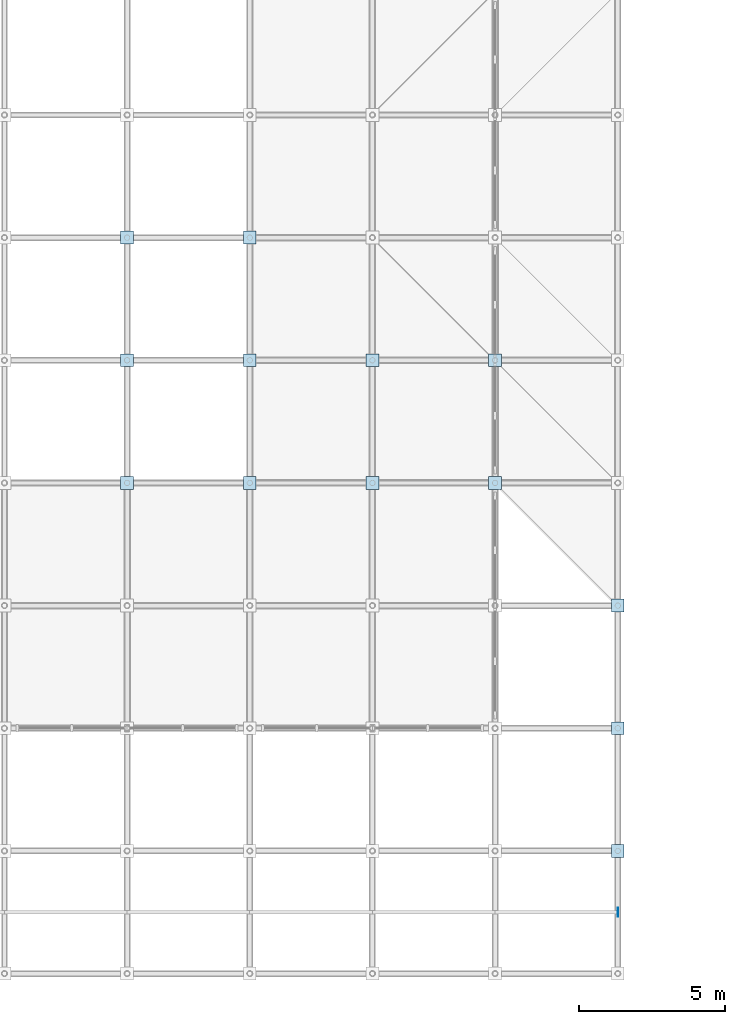
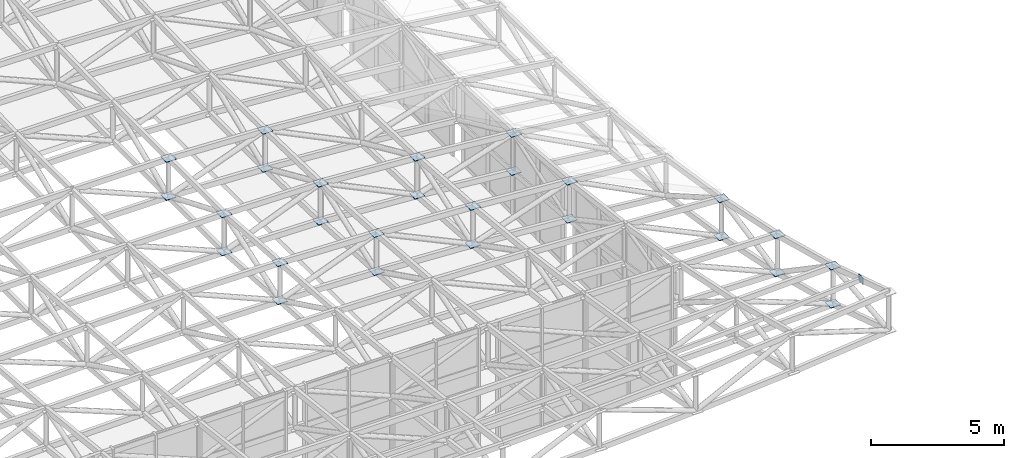
# One storey, part 74 of 132: 27 plates.
"""IFC4 building model written with IfcOpenShell, lengths in metres."""

from ifc_helpers import new_model, si_unit, direction, frame, origin, origin_2d, place, context, subcontext, project, spatial, rectangle, extrude, material, layer, layer_set, type_object, element, save


model = new_model("IFC4")

# Units and contexts
model_context = context("Model", 3, precision=1e-05, world=origin(), true_north=direction((0.0, 1.0)))
body_context = subcontext(model_context, "Body", "Model", "MODEL_VIEW")
ifc_project = project(units=[si_unit("LENGTHUNIT", "METRE"), si_unit("AREAUNIT", "SQUARE_METRE"), si_unit("VOLUMEUNIT", "CUBIC_METRE"), si_unit("PLANEANGLEUNIT", "RADIAN"), si_unit("MASSUNIT", "GRAM", prefix="KILO")], contexts=[model_context])

# Site, building, storey
site_placement = place(None, origin())
site = spatial("IfcSite", under=ifc_project, at=site_placement, CompositionType="ELEMENT")
building_placement = place(site_placement, origin())
building = spatial("IfcBuilding", under=site, at=building_placement, Name="Cumbredor Promenade Congress Hotel", CompositionType="ELEMENT")
storey_placement = place(building_placement, frame((0.0, 0.0, 7.56005859375)))
storey = spatial("IfcBuildingStorey", under=building, at=storey_placement, Name="L02", CompositionType="ELEMENT", Elevation=7.56005859375)

# Plates
ifc_material = material(Name="Steel ASTM A572 Grade 50", Category="steel")
ifc_layer_1 = layer(ifc_material, 0.02001953125, Name="Steel ASTM A572 Grade 50", Category="steel")
ifc_layer_set_1 = layer_set([ifc_layer_1], Name="Steel ASTM A572 Grade 50")
plate_type_1 = type_object("IfcPlateType", Name="Hollow Section End Cap Plate CP-05", PredefinedType="USERDEFINED", material=ifc_layer_set_1)
plate_placement = place(storey_placement, frame((113.407958984375, 2.10009765625, 6.90283203125), z_axis=(0.0, 0.0, 1.0), x_axis=(1.0, 0.0, 0.0)))
element("IfcPlate", 1, at=plate_placement, inside=storey, type_object=plate_type_1, Name="Thermal Spa and Hydrotherapy Pavilion Roof Eave Purlin 10.1 End Cap Plate", ObjectType="CAP PLATE", PredefinedType="USERDEFINED", context=body_context, shape_type="SweptSolid", body=[
    extrude(rectangle(XDim=0.02001953125, YDim=0.320068359375, at=origin_2d()), origin(), (0.0, 0.0, 1.0), 0.320068359375),
])
ifc_layer_2 = layer(ifc_material, 0.028076171875, Name="Steel ASTM A572 Grade 50", Category="steel")
ifc_layer_set_2 = layer_set([ifc_layer_2], Name="Steel ASTM A572 Grade 50")
plate_type_2 = type_object("IfcPlateType", Name="Space Frame Node Assembly ND-03", PredefinedType="USERDEFINED", material=ifc_layer_set_2)
for number, where, z_axis, x_axis, name in (
    (2, (96.60009765625, 16.800048828125, 4.798828125), (0.0, 0.0, 1.0), (1.0, 0.0, 0.0), "Thermal Spa and Hydrotherapy Pavilion Space Frame Top Node 7.5"),
    (3, (96.60009765625, 16.800048828125, 3.048828125), (0.0, 0.0, 1.0), (1.0, 0.0, 0.0), "Thermal Spa and Hydrotherapy Pavilion Space Frame Bottom Node 7.5"),
    (4, (96.60009765625, 21.0, 4.49951171875), (0.0, 0.0, 1.0), (1.0, 0.0, 0.0), "Thermal Spa and Hydrotherapy Pavilion Space Frame Top Node 7.6"),
    (5, (96.60009765625, 21.0, 2.74951171875), (0.0, 0.0, 1.0), (1.0, 0.0, 0.0), "Thermal Spa and Hydrotherapy Pavilion Space Frame Bottom Node 7.6"),
    (6, (96.60009765625, 25.199951171875, 4.5), (0.0, 0.0, 1.0), (1.0, 0.0, 0.0), "Thermal Spa and Hydrotherapy Pavilion Space Frame Top Node 7.7"),
    (7, (96.60009765625, 25.199951171875, 2.75), (0.0, 0.0, 1.0), (1.0, 0.0, 0.0), "Thermal Spa and Hydrotherapy Pavilion Space Frame Bottom Node 7.7"),
    (8, (100.800048828125, 16.800048828125, 4.666015625), (0.0, 0.0, 1.0), (1.0, 0.0, 0.0), "Thermal Spa and Hydrotherapy Pavilion Space Frame Top Node 8.5"),
    (9, (100.800048828125, 16.800048828125, 2.916015625), (0.0, 0.0, 1.0), (1.0, 0.0, 0.0), "Thermal Spa and Hydrotherapy Pavilion Space Frame Bottom Node 8.5"),
    (10, (100.800048828125, 21.0, 4.4365234375), (0.0, 0.0, 1.0), (1.0, 0.0, 0.0), "Thermal Spa and Hydrotherapy Pavilion Space Frame Top Node 8.6"),
    (11, (100.800048828125, 21.0, 2.6865234375), (0.0, 0.0, 1.0), (1.0, 0.0, 0.0), "Thermal Spa and Hydrotherapy Pavilion Space Frame Bottom Node 8.6"),
    (12, (100.800048828125, 25.199951171875, 4.32177734375), (0.0, 0.0, 1.0), (1.0, 0.0, 0.0), "Thermal Spa and Hydrotherapy Pavilion Space Frame Top Node 8.7"),
    (13, (100.800048828125, 25.199951171875, 2.57177734375), (0.0, 0.0, 1.0), (1.0, 0.0, 0.0), "Thermal Spa and Hydrotherapy Pavilion Space Frame Bottom Node 8.7"),
    (14, (105.0, 16.800048828125, 4.44482421875), (0.0, 0.0, 1.0), (1.0, 0.0, 0.0), "Thermal Spa and Hydrotherapy Pavilion Space Frame Top Node 9.5"),
    (15, (105.0, 16.800048828125, 2.69482421875), (0.0, 0.0, 1.0), (1.0, 0.0, 0.0), "Thermal Spa and Hydrotherapy Pavilion Space Frame Bottom Node 9.5"),
    (16, (105.0, 21.0, 4.1640625), (0.0, 0.0, 1.0), (1.0, 0.0, 0.0), "Thermal Spa and Hydrotherapy Pavilion Space Frame Top Node 9.6"),
    (17, (105.0, 21.0, 2.4140625), (0.0, 0.0, 1.0), (1.0, 0.0, 0.0), "Thermal Spa and Hydrotherapy Pavilion Space Frame Bottom Node 9.6"),
    (18, (109.199951171875, 16.800048828125, 4.13525390625), (0.0, 0.0, 1.0), (1.0, 0.0, 0.0), "Thermal Spa and Hydrotherapy Pavilion Space Frame Top Node 10.5"),
    (19, (109.199951171875, 16.800048828125, 2.38525390625), (0.0, 0.0, 1.0), (1.0, 0.0, 0.0), "Thermal Spa and Hydrotherapy Pavilion Space Frame Bottom Node 10.5"),
    (20, (109.199951171875, 21.0, 3.783203125), (0.0, 0.0, 1.0), (1.0, 0.0, 0.0), "Thermal Spa and Hydrotherapy Pavilion Space Frame Top Node 10.6"),
    (21, (109.199951171875, 21.0, 2.033203125), (0.0, 0.0, 1.0), (1.0, 0.0, 0.0), "Thermal Spa and Hydrotherapy Pavilion Space Frame Bottom Node 10.6"),
    (22, (113.39990234375, 4.199951171875, 6.40087890625), (0.0, 0.0, 1.0), (1.0, 0.0, 0.0), "Thermal Spa and Hydrotherapy Pavilion Space Frame Top Node 11.2"),
    (23, (113.39990234375, 4.199951171875, 4.65087890625), (0.0, 0.0, 1.0), (1.0, 0.0, 0.0), "Thermal Spa and Hydrotherapy Pavilion Space Frame Bottom Node 11.2"),
    (24, (113.39990234375, 8.39990234375, 5.2919921875), (0.0, 0.0, 1.0), (1.0, 0.0, 0.0), "Thermal Spa and Hydrotherapy Pavilion Space Frame Top Node 11.3"),
    (25, (113.39990234375, 8.39990234375, 3.5419921875), (0.0, 0.0, 1.0), (1.0, 0.0, 0.0), "Thermal Spa and Hydrotherapy Pavilion Space Frame Bottom Node 11.3"),
    (26, (113.39990234375, 12.60009765625, 4.40478515625), (0.0, 0.0, 1.0), (1.0, 0.0, 0.0), "Thermal Spa and Hydrotherapy Pavilion Space Frame Top Node 11.4"),
    (27, (113.39990234375, 12.60009765625, 2.65478515625), (0.0, 0.0, 1.0), (1.0, 0.0, 0.0), "Thermal Spa and Hydrotherapy Pavilion Space Frame Bottom Node 11.4"),
):
    element("IfcPlate", number, at=place(storey_placement, frame(where, z_axis=z_axis, x_axis=x_axis)), inside=storey, type_object=plate_type_2, Name=name, ObjectType="GUSSET PLATE", PredefinedType="USERDEFINED", context=body_context, shape_type="SweptSolid", body=[
        extrude(rectangle(XDim=0.43994140625, YDim=0.43994140625, at=origin_2d()), origin(), (0.0, 0.0, 1.0), 0.028076171875),
    ])

save(model, "model.ifc")
